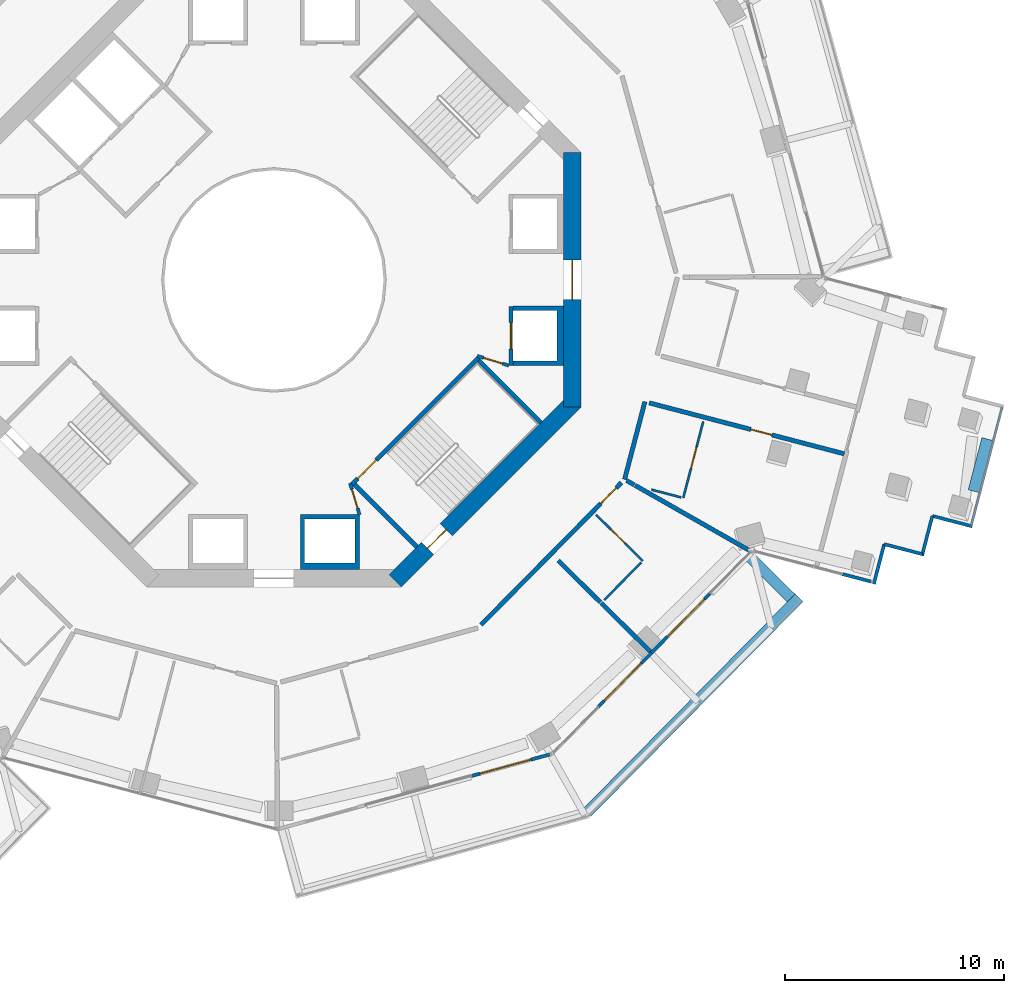
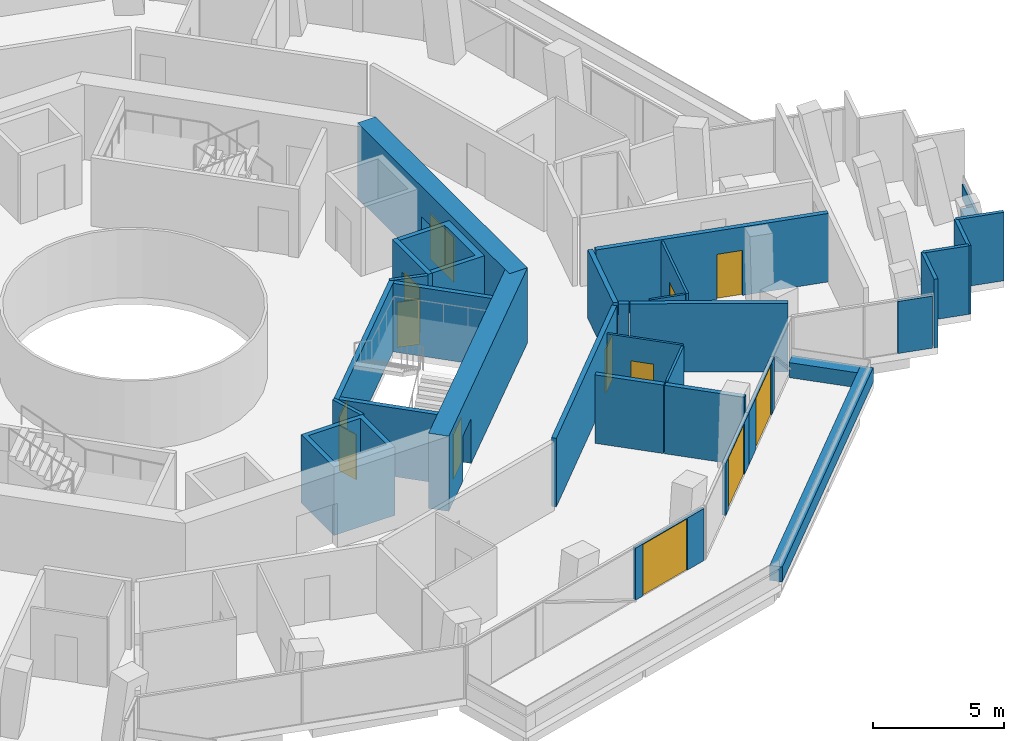
# One storey, part 19 of 26: 33 walls, 13 doors, 13 openings.
"""IFC4 building model written with IfcOpenShell, lengths in metres."""

from ifc_helpers import new_model, si_unit, direction, frame, frame_2d, origin, place, context, subcontext, project, spatial, polyline, rectangle, outline, extrude, material, layer, layer_set, type_object, element, fill, save


model = new_model("IFC4")

# Units and contexts
model_context = context("Model", 3, precision=1e-05, world=origin(), true_north=direction((0.0, 1.0)))
body_context = subcontext(model_context, "Body", "Model", "MODEL_VIEW")
ifc_project = project(units=[si_unit("LENGTHUNIT", "METRE"), si_unit("AREAUNIT", "SQUARE_METRE"), si_unit("VOLUMEUNIT", "CUBIC_METRE"), si_unit("PLANEANGLEUNIT", "RADIAN"), si_unit("MASSUNIT", "GRAM", prefix="KILO")], contexts=[model_context])

# Site, building, storey
site_placement = place(None, origin())
site = spatial("IfcSite", under=ifc_project, at=site_placement, CompositionType="ELEMENT")
building_placement = place(site_placement, origin())
building = spatial("IfcBuilding", under=site, at=building_placement, Name="Verdalira Terraces Hotel", CompositionType="ELEMENT")
storey_placement = place(building_placement, frame((0.0, 0.0, 96.5)))
storey = spatial("IfcBuildingStorey", under=building, at=storey_placement, Name="L22", CompositionType="ELEMENT", Elevation=96.5)

# Walls
ifc_material_1 = material(Name="Concrete C40", Category="concrete")
ifc_layer_1 = layer(ifc_material_1, 0.5)
ifc_layer_set_1 = layer_set([ifc_layer_1], Name="Balcony planter trough with tree")
wall_type_1 = type_object("IfcWallType", Name="Balcony planter trough with tree", PredefinedType="SOLIDWALL", material=ifc_layer_set_1)
wall_1_placement = place(storey_placement, frame((14.28418, -24.257568, 0.0), z_axis=(0.0, 0.0, 1.0), x_axis=(0.702654229, 0.711531471, 0.0)))
element("IfcWall", 1, at=wall_1_placement, inside=storey, type_object=wall_type_1, Name="Balcony planter", PredefinedType="SOLIDWALL", context=body_context, shape_type="SweptSolid", body=[
    extrude(rectangle(XDim=13.723389, YDim=0.5, at=frame_2d((6.861816, 0.0))), origin(), (0.0, 0.0, 1.0), 0.699951),
])
wall_2_placement = place(storey_placement, frame((23.573486, -14.495117, 0.0), z_axis=(0.0, 0.0, 1.0), x_axis=(-0.71156988, 0.702615333, 0.0)))
element("IfcWall", 2, at=wall_2_placement, inside=storey, type_object=wall_type_1, Name="Balcony planter", PredefinedType="SOLIDWALL", context=body_context, shape_type="SweptSolid", body=[
    extrude(rectangle(XDim=2.699219, YDim=0.5, at=frame_2d((1.349609, 0.0))), origin(), (0.0, 0.0, 1.0), 0.699951),
])

# Wall, opening, door
ifc_material_2 = material(Name="Moisture-resistant gypsum board partition")
ifc_layer_2 = layer(ifc_material_2, 0.10009765625)
ifc_layer_set_2 = layer_set([ifc_layer_2], Name="Bathroom partition 100 mm")
wall_type_2 = type_object("IfcWallType", Name="Bathroom partition 100 mm", PredefinedType="PARTITIONING", material=ifc_layer_set_2)
wall_3_placement = place(storey_placement, frame((16.809814, -12.805176, 0.0), z_axis=(0.0, 0.0, 1.0), x_axis=(-0.711568401, 0.702616831, 0.0)))
wall_3 = element("IfcWall", 3, at=wall_3_placement, inside=storey, type_object=wall_type_2, Name="Bathroom partition", PredefinedType="PARTITIONING", context=body_context, shape_type="SweptSolid", body=[
    extrude(rectangle(XDim=3.0, YDim=0.100098, at=frame_2d((1.5, 0.0))), origin(), (0.0, 0.0, 1.0), 3.189941),
])
opening_1_placement = place(wall_3_placement, frame((1.149902, 0.0, 0.0)))
opening_1 = element("IfcOpeningElement", 4, at=opening_1_placement, cuts=wall_3, Name="Opening L22-127", PredefinedType="OPENING", context=body_context, shape_type="SweptSolid", body=[
    extrude(rectangle(XDim=0.899902, YDim=2.100098, at=frame_2d((0.449951, 1.050049))), frame((0.0, 0.060059, 0.0), z_axis=(0.0, -1.0, 0.0), x_axis=(1.0, 0.0, 0.0)), (0.0, 0.0, 1.0), 0.120117),
])
ifc_material_3 = material(Name="Timber door", Category="wood")
door_type_1 = type_object("IfcDoorType", Name="Bathroom door 900 x 2100", OperationType="NOTDEFINED", PredefinedType="DOOR", material=ifc_material_3)
door_1_placement = place(opening_1_placement, origin())
door_1 = element("IfcDoor", 5, at=door_1_placement, inside=storey, type_object=door_type_1, Name="Bathroom door 2210", OperationType="SINGLE_SWING_LEFT", OverallHeight=2.10009765625, OverallWidth=0.89990234375, PredefinedType="DOOR", context=body_context, shape_type="SweptSolid", body=[
    extrude(rectangle(XDim=0.899902, YDim=2.100098, at=frame_2d((0.449951, 1.050049))), frame((0.0, 0.024902, 0.0), z_axis=(0.0, -1.0, 0.0), x_axis=(1.0, 0.0, 0.0)), (0.0, 0.0, 1.0), 0.050049),
])
fill(opening_1, door_1)

# Walls
wall_4_placement = place(storey_placement, frame((16.739502, -12.876465, 0.0), z_axis=(0.0, 0.0, 1.0), x_axis=(-0.702719059, -0.711467444, 0.0)))
element("IfcWall", 6, at=wall_4_placement, inside=storey, type_object=wall_type_2, Name="Bathroom partition", PredefinedType="PARTITIONING", context=body_context, shape_type="SweptSolid", body=[
    extrude(rectangle(XDim=2.399902, YDim=0.100098, at=frame_2d((1.199951, 0.0))), origin(), (0.0, 0.0, 1.0), 3.189941),
])
wall_5_placement = place(storey_placement, frame((18.555664, -9.911621, 0.0), z_axis=(0.0, 0.0, 1.0), x_axis=(-0.96753195, 0.25274874, 0.0)))
element("IfcWall", 7, at=wall_5_placement, inside=storey, type_object=wall_type_2, Name="Bathroom partition", PredefinedType="PARTITIONING", context=body_context, shape_type="SweptSolid", body=[
    extrude(rectangle(XDim=1.398682, YDim=0.100098, at=frame_2d((0.699219, 0.0))), origin(), (0.0, 0.0, 1.0), 3.189941),
])

# Wall, opening, door
wall_6_placement = place(storey_placement, frame((18.652344, -9.937012, 0.0), z_axis=(0.0, 0.0, 1.0), x_axis=(0.2527504, 0.967531516, 0.0)))
wall_6 = element("IfcWall", 8, at=wall_6_placement, inside=storey, type_object=wall_type_2, Name="Bathroom partition", PredefinedType="PARTITIONING", context=body_context, shape_type="SweptSolid", body=[
    extrude(rectangle(XDim=3.600098, YDim=0.100098, at=frame_2d((1.800049, 0.0))), origin(), (0.0, 0.0, 1.0), 3.189941),
])
opening_2_placement = place(wall_6_placement, frame((1.399902, 0.0, 0.0)))
opening_2 = element("IfcOpeningElement", 9, at=opening_2_placement, cuts=wall_6, Name="Opening L22-129", PredefinedType="OPENING", context=body_context, shape_type="SweptSolid", body=[
    extrude(rectangle(XDim=1.0, YDim=2.100098, at=frame_2d((0.5, 1.050049))), frame((0.0, 0.060059, 0.0), z_axis=(0.0, -1.0, 0.0), x_axis=(1.0, 0.0, 0.0)), (0.0, 0.0, 1.0), 0.120117),
])
ifc_material_4 = material(Name="Timber door", Category="wood")
door_type_2 = type_object("IfcDoorType", Name="Bathroom door 1000 x 2100", OperationType="NOTDEFINED", PredefinedType="DOOR", material=ifc_material_4)
door_2_placement = place(opening_2_placement, origin())
door_2 = element("IfcDoor", 10, at=door_2_placement, inside=storey, type_object=door_type_2, Name="Bathroom door 2211", OperationType="SINGLE_SWING_LEFT", OverallHeight=2.10009765625, OverallWidth=1.0, PredefinedType="DOOR", context=body_context, shape_type="SweptSolid", body=[
    extrude(rectangle(XDim=1.0, YDim=2.100098, at=frame_2d((0.5, 1.050049))), frame((0.0, 0.024902, 0.0), z_axis=(0.0, -1.0, 0.0), x_axis=(1.0, 0.0, 0.0)), (0.0, 0.0, 1.0), 0.050049),
])
fill(opening_2, door_2)

# Wall
ifc_material_5 = material(Name="Concrete C50", Category="concrete")
ifc_layer_3 = layer(ifc_material_5, 0.199951171875)
ifc_layer_set_3 = layer_set([ifc_layer_3], Name="Core RC wall 200 C50")
wall_type_3 = type_object("IfcWallType", Name="Core RC wall 200 C50", PredefinedType="SOLIDWALL", material=ifc_layer_set_3)
wall_7_placement = place(storey_placement, origin())
element("IfcWall", 11, at=wall_7_placement, inside=storey, type_object=wall_type_3, Name="L22 shaft wall E1", PredefinedType="SOLIDWALL", context=body_context, shape_type="SweptSolid", body=[
    extrude(outline(polyline([(13.199951, -3.899902), (10.899902, -3.899902), (10.899902, -3.699951), (12.899902, -3.699951), (12.899902, -1.399902), (10.899902, -1.399902), (10.899902, -1.199951), (13.199951, -1.199951), (13.199951, -3.899902)])), origin(), (0.0, 0.0, 1.0), 3.189941),
])

# Wall, opening, door
wall_8_placement = place(storey_placement, frame((10.800049, -1.199951, 0.0), z_axis=(0.0, 0.0, 1.0), x_axis=(0.0, -1.0, 0.0)))
wall_8 = element("IfcWall", 12, at=wall_8_placement, inside=storey, type_object=wall_type_3, Name="L22 shaft front wall E1", PredefinedType="SOLIDWALL", context=body_context, shape_type="SweptSolid", body=[
    extrude(rectangle(XDim=2.699951, YDim=0.199951, at=frame_2d((1.350098, 0.0))), origin(), (0.0, 0.0, 1.0), 3.189941),
])
opening_3_placement = place(wall_8_placement, frame((0.75, 0.0, 0.0)))
opening_3 = element("IfcOpeningElement", 13, at=opening_3_placement, cuts=wall_8, Name="Opening LD-L22-801", PredefinedType="OPENING", context=body_context, shape_type="SweptSolid", body=[
    extrude(rectangle(XDim=1.199951, YDim=2.100098, at=frame_2d((0.600098, 1.050049))), frame((0.0, 0.109863, 0.0), z_axis=(0.0, -1.0, 0.0), x_axis=(1.0, 0.0, 0.0)), (0.0, 0.0, 1.0), 0.219971),
])
ifc_material_6 = material(Name="Stainless steel", Category="steel")
door_type_3 = type_object("IfcDoorType", Name="Landing door 1200 x 2100", OperationType="NOTDEFINED", PredefinedType="DOOR", material=ifc_material_6)
door_3_placement = place(opening_3_placement, origin())
door_3 = element("IfcDoor", 14, at=door_3_placement, inside=storey, type_object=door_type_3, Name="Lift landing door LR1 L22", OperationType="DOUBLE_DOOR_SLIDING", OverallHeight=2.10009765625, OverallWidth=1.199951171875, PredefinedType="DOOR", context=body_context, shape_type="SweptSolid", body=[
    extrude(rectangle(XDim=1.199951, YDim=2.100098, at=frame_2d((0.600098, 1.050049))), frame((0.0, 0.024902, 0.0), z_axis=(0.0, -1.0, 0.0), x_axis=(1.0, 0.0, 0.0)), (0.0, 0.0, 1.0), 0.050049),
])
fill(opening_3, door_3)

# Wall
wall_9_placement = place(storey_placement, origin())
element("IfcWall", 15, at=wall_9_placement, inside=storey, type_object=wall_type_3, Name="L22 shaft wall S2", PredefinedType="SOLIDWALL", context=body_context, shape_type="SweptSolid", body=[
    extrude(outline(polyline([(3.899902, -10.699951), (3.899902, -13.199951), (1.199951, -13.199951), (1.199951, -10.699951), (3.899902, -10.699951)]), holes=[polyline([(1.399902, -12.899902), (3.699951, -12.899902), (3.699951, -10.899902), (1.399902, -10.899902), (1.399902, -12.899902)])]), origin(), (0.0, 0.0, 1.0), 3.189941),
])

# Wall, opening, door
wall_10_placement = place(storey_placement, frame((9.33374, -3.5354, 0.0), z_axis=(0.0, 0.0, 1.0), x_axis=(-0.707106781, -0.707106781, 0.0)))
wall_10 = element("IfcWall", 16, at=wall_10_placement, inside=storey, type_object=wall_type_3, Name="L22 stair ST3 front wall", PredefinedType="SOLIDWALL", context=body_context, shape_type="SweptSolid", body=[
    extrude(rectangle(XDim=8.200195, YDim=0.199951, at=frame_2d((4.100098, 0.0))), origin(), (0.0, 0.0, 1.0), 3.189941),
])
opening_4_placement = place(wall_10_placement, frame((6.600098, 0.0, 0.0)))
opening_4 = element("IfcOpeningElement", 17, at=opening_4_placement, cuts=wall_10, Name="Opening L22-811", PredefinedType="OPENING", context=body_context, shape_type="SweptSolid", body=[
    extrude(rectangle(XDim=1.199951, YDim=2.100098, at=frame_2d((0.600098, 1.050049))), frame((0.0, 0.109863, 0.0), z_axis=(0.0, -1.0, 0.0), x_axis=(1.0, 0.0, 0.0)), (0.0, 0.0, 1.0), 0.219971),
])
ifc_material_7 = material(Name="Steel fire door", Category="steel")
door_type_4 = type_object("IfcDoorType", Name="Stair door 1200 x 2100", OperationType="NOTDEFINED", PredefinedType="DOOR", material=ifc_material_7)
door_4_placement = place(opening_4_placement, origin())
door_4 = element("IfcDoor", 18, at=door_4_placement, inside=storey, type_object=door_type_4, Name="Stair door ST3 L22", OperationType="SINGLE_SWING_RIGHT", OverallHeight=2.10009765625, OverallWidth=1.199951171875, PredefinedType="DOOR", context=body_context, shape_type="SweptSolid", body=[
    extrude(rectangle(XDim=1.199951, YDim=2.100098, at=frame_2d((0.600098, 1.050049))), frame((0.0, 0.024902, 0.0), z_axis=(0.0, -1.0, 0.0), x_axis=(1.0, 0.0, 0.0)), (0.0, 0.0, 1.0), 0.050049),
])
fill(opening_4, door_4)

# Walls
for number, where, z_axis, x_axis, name in (
    (19, (3.677002, -9.33374, 0.0), (0.0, 0.0, 1.0), (0.707106781, -0.707106781, 0.0), "L22 stair ST3 end wall 1"),
    (20, (9.33374, -3.677002, 0.0), (0.0, 0.0, 1.0), (0.707106781, -0.707106781, 0.0), "L22 stair ST3 end wall 2"),
):
    element("IfcWall", number, at=place(storey_placement, frame(where, z_axis=z_axis, x_axis=x_axis)), inside=storey, type_object=wall_type_3, Name=name, PredefinedType="SOLIDWALL", context=body_context, shape_type="SweptSolid", body=[
        extrude(rectangle(XDim=4.0, YDim=0.199951, at=frame_2d((2.0, 0.0))), origin(), (0.0, 0.0, 1.0), 3.189941),
    ])

# Wall, opening, door
ifc_material_8 = material(Name="Gypsum board partition")
ifc_layer_4 = layer(ifc_material_8, 0.14990234375)
ifc_layer_set_4 = layer_set([ifc_layer_4], Name="Core partition 150 mm")
wall_type_4 = type_object("IfcWallType", Name="Core partition 150 mm", PredefinedType="PARTITIONING", material=ifc_layer_set_4)
wall_11_placement = place(storey_placement, frame((3.899902, -10.699951, 0.0), z_axis=(0.0, 0.0, 1.0), x_axis=(-0.289808785, 0.957084567, 0.0)))
wall_11 = element("IfcWall", 21, at=wall_11_placement, inside=storey, type_object=wall_type_4, Name="Room partition L22", PredefinedType="PARTITIONING", context=body_context, shape_type="SweptSolid", body=[
    extrude(rectangle(XDim=1.501221, YDim=0.149902, at=frame_2d((0.750488, 0.0))), origin(), (0.0, 0.0, 1.0), 3.189941),
])
opening_5_placement = place(wall_11_placement, frame((0.300781, 0.0, 0.0)))
opening_5 = element("IfcOpeningElement", 22, at=opening_5_placement, cuts=wall_11, Name="Opening L22-822", PredefinedType="OPENING", context=body_context, shape_type="SweptSolid", body=[
    extrude(rectangle(XDim=0.899902, YDim=2.100098, at=frame_2d((0.449951, 1.050049))), frame((0.0, 0.084961, 0.0), z_axis=(0.0, -1.0, 0.0), x_axis=(1.0, 0.0, 0.0)), (0.0, 0.0, 1.0), 0.169922),
])
ifc_material_9 = material(Name="Steel fire door", Category="steel")
door_type_5 = type_object("IfcDoorType", Name="Core room door 900 x 2100", OperationType="NOTDEFINED", PredefinedType="DOOR", material=ifc_material_9)
door_5_placement = place(opening_5_placement, origin())
door_5 = element("IfcDoor", 23, at=door_5_placement, inside=storey, type_object=door_type_5, Name="Door L22 room6", OperationType="SINGLE_SWING_LEFT", OverallHeight=2.10009765625, OverallWidth=0.89990234375, PredefinedType="DOOR", context=body_context, shape_type="SweptSolid", body=[
    extrude(rectangle(XDim=0.899902, YDim=2.100098, at=frame_2d((0.449951, 1.050049))), frame((0.0, 0.024902, 0.0), z_axis=(0.0, -1.0, 0.0), x_axis=(1.0, 0.0, 0.0)), (0.0, 0.0, 1.0), 0.050049),
])
fill(opening_5, door_5)

wall_12_placement = place(storey_placement, frame((9.263184, -3.464844, 0.0), z_axis=(0.0, 0.0, 1.0), x_axis=(0.957084567, -0.289808785, 0.0)))
wall_12 = element("IfcWall", 24, at=wall_12_placement, inside=storey, type_object=wall_type_4, Name="Room partition L22", PredefinedType="PARTITIONING", context=body_context, shape_type="SweptSolid", body=[
    extrude(rectangle(XDim=1.501221, YDim=0.149902, at=frame_2d((0.750488, 0.0))), origin(), (0.0, 0.0, 1.0), 3.189941),
])
opening_6_placement = place(wall_12_placement, frame((0.300781, 0.0, 0.0)))
opening_6 = element("IfcOpeningElement", 25, at=opening_6_placement, cuts=wall_12, Name="Opening L22-823", PredefinedType="OPENING", context=body_context, shape_type="SweptSolid", body=[
    extrude(rectangle(XDim=0.899902, YDim=2.100098, at=frame_2d((0.449951, 1.050049))), frame((0.0, 0.084961, 0.0), z_axis=(0.0, -1.0, 0.0), x_axis=(1.0, 0.0, 0.0)), (0.0, 0.0, 1.0), 0.169922),
])
door_6_placement = place(opening_6_placement, origin())
door_6 = element("IfcDoor", 26, at=door_6_placement, inside=storey, type_object=door_type_5, Name="Door L22 room7", OperationType="SINGLE_SWING_LEFT", OverallHeight=2.10009765625, OverallWidth=0.89990234375, PredefinedType="DOOR", context=body_context, shape_type="SweptSolid", body=[
    extrude(rectangle(XDim=0.899902, YDim=2.100098, at=frame_2d((0.449951, 1.050049))), frame((0.0, 0.024902, 0.0), z_axis=(0.0, -1.0, 0.0), x_axis=(1.0, 0.0, 0.0)), (0.0, 0.0, 1.0), 0.050049),
])
fill(opening_6, door_6)

ifc_material_10 = material(Name="Concrete C70", Category="concrete")
ifc_layer_5 = layer(ifc_material_10, 0.800048828125)
ifc_layer_set_5 = layer_set([ifc_layer_5], Name="Core wall 800 C70")
wall_type_5 = type_object("IfcWallType", Name="Core wall 800 C70", PredefinedType="SHEAR", material=ifc_layer_set_5)
wall_13_placement = place(storey_placement, frame((13.600098, -5.799072, 0.0), z_axis=(0.0, 0.0, 1.0), x_axis=(0.0, 1.0, 0.0)))
wall_13 = element("IfcWall", 27, at=wall_13_placement, inside=storey, type_object=wall_type_5, Name="Core wall CW-L22-1", PredefinedType="SHEAR", context=body_context, shape_type="SweptSolid", body=[
    extrude(rectangle(XDim=11.598145, YDim=0.800049, at=frame_2d((5.799072, 0.0))), origin(), (0.0, 0.0, 1.0), 3.5),
])
opening_7_placement = place(wall_13_placement, frame((4.898926, 0.0, 0.0)))
opening_7 = element("IfcOpeningElement", 28, at=opening_7_placement, cuts=wall_13, Name="Opening L22-812", PredefinedType="OPENING", context=body_context, shape_type="SweptSolid", body=[
    extrude(rectangle(XDim=1.800049, YDim=2.100098, at=frame_2d((0.899902, 1.050049))), frame((0.0, 0.409912, 0.0), z_axis=(0.0, -1.0, 0.0), x_axis=(1.0, 0.0, 0.0)), (0.0, 0.0, 1.0), 0.820068),
])
ifc_material_11 = material(Name="Steel fire door", Category="steel")
door_type_6 = type_object("IfcDoorType", Name="Core entry door pair 1800 x 2100", OperationType="NOTDEFINED", PredefinedType="DOOR", material=ifc_material_11)
door_7_placement = place(opening_7_placement, origin())
door_7 = element("IfcDoor", 29, at=door_7_placement, inside=storey, type_object=door_type_6, Name="Core entry door L22 0", OperationType="DOUBLE_DOOR_SINGLE_SWING", OverallHeight=2.10009765625, OverallWidth=1.800048828125, PredefinedType="DOOR", context=body_context, shape_type="SweptSolid", body=[
    extrude(rectangle(XDim=1.800049, YDim=2.100098, at=frame_2d((0.899902, 1.050049))), frame((0.0, 0.024902, 0.0), z_axis=(0.0, -1.0, 0.0), x_axis=(1.0, 0.0, 0.0)), (0.0, 0.0, 1.0), 0.050049),
])
fill(opening_7, door_7)

wall_14_placement = place(storey_placement, frame((5.516113, -13.717285, 0.0), z_axis=(0.0, 0.0, 1.0), x_axis=(0.707106781, 0.707106781, 0.0)))
wall_14 = element("IfcWall", 30, at=wall_14_placement, inside=storey, type_object=wall_type_5, Name="Core wall CW-L22-8", PredefinedType="SHEAR", context=body_context, shape_type="SweptSolid", body=[
    extrude(rectangle(XDim=11.598145, YDim=0.800049, at=frame_2d((5.799072, 0.0))), origin(), (0.0, 0.0, 1.0), 3.5),
])
opening_8_placement = place(wall_14_placement, frame((2.099121, 0.0, 0.0)))
opening_8 = element("IfcOpeningElement", 31, at=opening_8_placement, cuts=wall_14, Name="Opening L22-818", PredefinedType="OPENING", context=body_context, shape_type="SweptSolid", body=[
    extrude(rectangle(XDim=1.199951, YDim=2.100098, at=frame_2d((0.600098, 1.050049))), frame((0.0, 0.409912, 0.0), z_axis=(0.0, -1.0, 0.0), x_axis=(1.0, 0.0, 0.0)), (0.0, 0.0, 1.0), 0.820068),
])
door_8_placement = place(opening_8_placement, origin())
door_8 = element("IfcDoor", 32, at=door_8_placement, inside=storey, type_object=door_type_4, Name="Stair exit door ST3 L22", OperationType="SINGLE_SWING_LEFT", OverallHeight=2.10009765625, OverallWidth=1.199951171875, PredefinedType="DOOR", context=body_context, shape_type="SweptSolid", body=[
    extrude(rectangle(XDim=1.199951, YDim=2.100098, at=frame_2d((0.600098, 1.050049))), frame((0.0, 0.024902, 0.0), z_axis=(0.0, -1.0, 0.0), x_axis=(1.0, 0.0, 0.0)), (0.0, 0.0, 1.0), 0.050049),
])
fill(opening_8, door_8)

# Walls
ifc_material_12 = material(Name="Fire-rated gypsum board wall")
ifc_layer_6 = layer(ifc_material_12, 0.199951171875)
ifc_layer_set_6 = layer_set([ifc_layer_6], Name="Demising wall 200 mm")
wall_type_6 = type_object("IfcWallType", Name="Demising wall 200 mm", PredefinedType="SOLIDWALL", material=ifc_layer_set_6)
wall_15_placement = place(storey_placement, frame((12.953857, -12.792236, 0.0), z_axis=(0.0, 0.0, 1.0), x_axis=(0.711560793, -0.702624535, 0.0)))
element("IfcWall", 33, at=wall_15_placement, inside=storey, type_object=wall_type_6, Name="Demising wall", PredefinedType="SOLIDWALL", context=body_context, shape_type="SweptSolid", body=[
    extrude(rectangle(XDim=2.70459, YDim=0.199951, at=frame_2d((1.352295, 0.0))), origin(), (0.0, 0.0, 1.0), 3.189941),
])
wall_16_placement = place(storey_placement, frame((14.911133, -14.725098, 0.0), z_axis=(0.0, 0.0, 1.0), x_axis=(0.711546698, -0.702638809, 0.0)))
element("IfcWall", 34, at=wall_16_placement, inside=storey, type_object=wall_type_6, Name="Demising wall", PredefinedType="SOLIDWALL", context=body_context, shape_type="SweptSolid", body=[
    extrude(rectangle(XDim=3.151855, YDim=0.199951, at=frame_2d((1.575928, 0.0))), origin(), (0.0, 0.0, 1.0), 3.189941),
])
wall_17_placement = place(storey_placement, frame((16.069092, -9.143311, 0.0), z_axis=(0.0, 0.0, 1.0), x_axis=(0.869064731, -0.494698386, 0.0)))
element("IfcWall", 35, at=wall_17_placement, inside=storey, type_object=wall_type_6, Name="Demising wall", PredefinedType="SOLIDWALL", context=body_context, shape_type="SweptSolid", body=[
    extrude(rectangle(XDim=0.401611, YDim=0.199951, at=frame_2d((0.200684, 0.0))), origin(), (0.0, 0.0, 1.0), 3.189941),
])
wall_18_placement = place(storey_placement, frame((16.453125, -9.361816, 0.0), z_axis=(0.0, 0.0, 1.0), x_axis=(0.869145541, -0.494556396, 0.0)))
element("IfcWall", 36, at=wall_18_placement, inside=storey, type_object=wall_type_6, Name="Demising wall", PredefinedType="SOLIDWALL", context=body_context, shape_type="SweptSolid", body=[
    extrude(rectangle(XDim=6.033936, YDim=0.199951, at=frame_2d((3.01709, 0.0))), origin(), (0.0, 0.0, 1.0), 3.189941),
])

# Wall, opening, door
ifc_material_13 = material(Name="Fire-rated gypsum board wall")
ifc_layer_7 = layer(ifc_material_13, 0.199951171875)
ifc_layer_set_7 = layer_set([ifc_layer_7], Name="Guest corridor wall 200 mm")
wall_type_7 = type_object("IfcWallType", Name="Guest corridor wall 200 mm", PredefinedType="SOLIDWALL", material=ifc_layer_set_7)
wall_19_placement = place(storey_placement, frame((15.838623, -9.234619, 0.0), z_axis=(0.0, 0.0, 1.0), x_axis=(-0.702660587, -0.711525192, 0.0)))
wall_19 = element("IfcWall", 37, at=wall_19_placement, inside=storey, type_object=wall_type_7, Name="Guest corridor wall", PredefinedType="SOLIDWALL", context=body_context, shape_type="SweptSolid", body=[
    extrude(rectangle(XDim=9.116211, YDim=0.199951, at=frame_2d((4.558105, 0.0))), origin(), (0.0, 0.0, 1.0), 3.189941),
])
opening_9_placement = place(wall_19_placement, frame((0.350098, 0.0, 0.0)))
opening_9 = element("IfcOpeningElement", 38, at=opening_9_placement, cuts=wall_19, Name="Opening L22-126", PredefinedType="OPENING", context=body_context, shape_type="SweptSolid", body=[
    extrude(rectangle(XDim=1.0, YDim=2.100098, at=frame_2d((0.5, 1.050049))), frame((0.0, 0.109863, 0.0), z_axis=(0.0, -1.0, 0.0), x_axis=(1.0, 0.0, 0.0)), (0.0, 0.0, 1.0), 0.219971),
])
ifc_material_14 = material(Name="Timber fire door", Category="wood")
door_type_7 = type_object("IfcDoorType", Name="Guest entry door 1000 x 2100", OperationType="NOTDEFINED", PredefinedType="DOOR", material=ifc_material_14)
door_9_placement = place(opening_9_placement, origin())
door_9 = element("IfcDoor", 39, at=door_9_placement, inside=storey, type_object=door_type_7, Name="Guest entry door 2210", OperationType="SINGLE_SWING_LEFT", OverallHeight=2.10009765625, OverallWidth=1.0, PredefinedType="DOOR", context=body_context, shape_type="SweptSolid", body=[
    extrude(rectangle(XDim=1.0, YDim=2.100098, at=frame_2d((0.5, 1.050049))), frame((0.0, 0.024902, 0.0), z_axis=(0.0, -1.0, 0.0), x_axis=(1.0, 0.0, 0.0)), (0.0, 0.0, 1.0), 0.050049),
])
fill(opening_9, door_9)

# Wall
wall_20_placement = place(storey_placement, frame((15.979004, -9.092285, 0.0), z_axis=(0.0, 0.0, 1.0), x_axis=(0.25277502, 0.967525084, 0.0)))
element("IfcWall", 40, at=wall_20_placement, inside=storey, type_object=wall_type_7, Name="Guest corridor wall", PredefinedType="SOLIDWALL", context=body_context, shape_type="SweptSolid", body=[
    extrude(rectangle(XDim=3.658691, YDim=0.199951, at=frame_2d((1.829346, 0.0))), origin(), (0.0, 0.0, 1.0), 3.189941),
])

# Wall, opening, door
wall_21_placement = place(storey_placement, frame((25.989258, -7.926025, 0.0), z_axis=(0.0, 0.0, 1.0), x_axis=(-0.967533715, 0.252741983, 0.0)))
wall_21 = element("IfcWall", 41, at=wall_21_placement, inside=storey, type_object=wall_type_7, Name="Guest corridor wall", PredefinedType="SOLIDWALL", context=body_context, shape_type="SweptSolid", body=[
    extrude(rectangle(XDim=9.190186, YDim=0.199951, at=frame_2d((4.595215, 0.0))), origin(), (0.0, 0.0, 1.0), 3.189941),
])
opening_10_placement = place(wall_21_placement, frame((3.399902, 0.0, 0.0)))
opening_10 = element("IfcOpeningElement", 42, at=opening_10_placement, cuts=wall_21, Name="Opening L22-128", PredefinedType="OPENING", context=body_context, shape_type="SweptSolid", body=[
    extrude(rectangle(XDim=1.0, YDim=2.100098, at=frame_2d((0.5, 1.050049))), frame((0.0, 0.109863, 0.0), z_axis=(0.0, -1.0, 0.0), x_axis=(1.0, 0.0, 0.0)), (0.0, 0.0, 1.0), 0.219971),
])
door_10_placement = place(opening_10_placement, origin())
door_10 = element("IfcDoor", 43, at=door_10_placement, inside=storey, type_object=door_type_7, Name="Guest entry door 2211", OperationType="SINGLE_SWING_LEFT", OverallHeight=2.10009765625, OverallWidth=1.0, PredefinedType="DOOR", context=body_context, shape_type="SweptSolid", body=[
    extrude(rectangle(XDim=1.0, YDim=2.100098, at=frame_2d((0.5, 1.050049))), frame((0.0, 0.024902, 0.0), z_axis=(0.0, -1.0, 0.0), x_axis=(1.0, 0.0, 0.0)), (0.0, 0.0, 1.0), 0.050049),
])
fill(opening_10, door_10)

# Walls
ifc_material_15 = material(Name="Concrete C40", Category="concrete")
ifc_layer_8 = layer(ifc_material_15, 0.5)
ifc_layer_set_8 = layer_set([ifc_layer_8], Name="Loggia planter trough with tree")
wall_type_8 = type_object("IfcWallType", Name="Loggia planter trough with tree", PredefinedType="SOLIDWALL", material=ifc_layer_set_8)
wall_22_placement = place(storey_placement, frame((31.881104, -9.625, 0.0), z_axis=(0.0, 0.0, 1.0), x_axis=(0.252725543, 0.96753801, 0.0)))
element("IfcWall", 44, at=wall_22_placement, inside=storey, type_object=wall_type_8, Name="Loggia planter", PredefinedType="SOLIDWALL", context=body_context, shape_type="SweptSolid", body=[
    extrude(rectangle(XDim=2.45459, YDim=0.5, at=frame_2d((1.227295, 0.0))), origin(), (0.0, 0.0, 1.0), 0.699951),
])
ifc_material_16 = material(Name="Concrete C40", Category="concrete")
ifc_layer_9 = layer(ifc_material_16, 0.10009765625)
ifc_layer_set_9 = layer_set([ifc_layer_9], Name="Loggia upstand 100")
wall_type_9 = type_object("IfcWallType", Name="Loggia upstand 100", PredefinedType="SOLIDWALL", material=ifc_layer_set_9)
wall_23_placement = place(storey_placement, frame((31.793457, -11.147461, 0.0), z_axis=(0.0, 0.0, 1.0), x_axis=(0.252757991, 0.967529533, 0.0)))
element("IfcWall", 45, at=wall_23_placement, inside=storey, type_object=wall_type_9, Name="Loggia upstand", PredefinedType="SOLIDWALL", context=body_context, shape_type="SweptSolid", body=[
    extrude(rectangle(XDim=5.499756, YDim=0.100098, at=frame_2d((2.75, 0.0))), origin(), (0.0, 0.0, 1.0), 0.699951),
])
ifc_material_17 = material(Name="Terracotta cladding", Category="masonry")
ifc_layer_10 = layer(ifc_material_17, 0.14990234375)
ifc_layer_set_10 = layer_set([ifc_layer_10], Name="Terracotta clad wall 150")
wall_type_10 = type_object("IfcWallType", Name="Terracotta clad wall 150", PredefinedType="SOLIDWALL", material=ifc_layer_set_10)
wall_24_placement = place(storey_placement, frame((27.338379, -13.859619, 0.0), z_axis=(0.0, 0.0, 1.0), x_axis=(0.252724002, 0.967538412, 0.0)))
element("IfcWall", 46, at=wall_24_placement, inside=storey, type_object=wall_type_10, Name="Terracotta cladding wall", PredefinedType="SOLIDWALL", context=body_context, shape_type="SweptSolid", body=[
    extrude(rectangle(XDim=1.875, YDim=0.149902, at=frame_2d((0.9375, 0.0))), origin(), (0.0, 0.0, 1.0), 3.189941),
])
wall_25_placement = place(storey_placement, frame((27.812256, -12.04541, 0.0), z_axis=(0.0, 0.0, 1.0), x_axis=(0.967510596, -0.252830471, 0.0)))
element("IfcWall", 47, at=wall_25_placement, inside=storey, type_object=wall_type_10, Name="Terracotta cladding wall", PredefinedType="SOLIDWALL", context=body_context, shape_type="SweptSolid", body=[
    extrude(rectangle(XDim=1.800049, YDim=0.149902, at=frame_2d((0.899902, 0.0))), origin(), (0.0, 0.0, 1.0), 3.189941),
])
for number, where, z_axis, x_axis, name in (
    (48, (29.534912, -12.572998, 0.0), (0.0, 0.0, 1.0), (0.252724002, 0.967538412, 0.0), "Terracotta cladding wall"),
    (49, (30.008789, -10.758789, 0.0), (0.0, 0.0, 1.0), (0.967538412, -0.252724002, 0.0), "Terracotta cladding wall"),
):
    element("IfcWall", number, at=place(storey_placement, frame(where, z_axis=z_axis, x_axis=x_axis)), inside=storey, type_object=wall_type_10, Name=name, PredefinedType="SOLIDWALL", context=body_context, shape_type="SweptSolid", body=[
        extrude(rectangle(XDim=1.875, YDim=0.149902, at=frame_2d((0.9375, 0.0))), origin(), (0.0, 0.0, 1.0), 3.189941),
    ])
ifc_material_18 = material(Name="Terracotta cladding", Category="masonry")
ifc_layer_11 = layer(ifc_material_18, 0.14990234375)
ifc_layer_set_11 = layer_set([ifc_layer_11], Name="Terracotta column pier 150")
wall_type_11 = type_object("IfcWallType", Name="Terracotta column pier 150", PredefinedType="SOLIDWALL", material=ifc_layer_set_11)
wall_26_placement = place(storey_placement, frame((25.893799, -13.404785, 0.0), z_axis=(0.0, 0.0, 1.0), x_axis=(0.967526217, -0.252770687, 0.0)))
element("IfcWall", 50, at=wall_26_placement, inside=storey, type_object=wall_type_11, Name="Terracotta column pier", PredefinedType="SOLIDWALL", context=body_context, shape_type="SweptSolid", body=[
    extrude(rectangle(XDim=1.367676, YDim=0.149902, at=frame_2d((0.683838, 0.0))), origin(), (0.0, 0.0, 1.0), 2.425049),
])

# Wall, opening, door
ifc_material_19 = material(Name="Terracotta cladding", Category="masonry")
ifc_layer_12 = layer(ifc_material_19, 0.14990234375)
ifc_layer_set_12 = layer_set([ifc_layer_12], Name="Terracotta door pier 150")
wall_type_12 = type_object("IfcWallType", Name="Terracotta door pier 150", PredefinedType="SOLIDWALL", material=ifc_layer_set_12)
wall_27_placement = place(storey_placement, frame((8.999268, -22.607178, 0.0), z_axis=(0.0, 0.0, 1.0), x_axis=(0.964270134, 0.264920947, 0.0)))
wall_27 = element("IfcWall", 51, at=wall_27_placement, inside=storey, type_object=wall_type_12, Name="Terracotta door pier", PredefinedType="SOLIDWALL", context=body_context, shape_type="SweptSolid", body=[
    extrude(rectangle(XDim=3.710205, YDim=0.149902, at=frame_2d((1.85498, 0.0))), origin(), (0.0, 0.0, 1.0), 2.425049),
])
opening_11_placement = place(wall_27_placement, frame((0.399902, 0.0, 0.0)))
opening_11 = element("IfcOpeningElement", 52, at=opening_11_placement, cuts=wall_27, Name="Opening L22-B14", PredefinedType="OPENING", context=body_context, shape_type="SweptSolid", body=[
    extrude(rectangle(XDim=2.399902, YDim=2.399902, at=frame_2d((1.199951, 1.199951))), frame((0.0, 0.084961, 0.0), z_axis=(0.0, -1.0, 0.0), x_axis=(1.0, 0.0, 0.0)), (0.0, 0.0, 1.0), 0.169922),
])
ifc_material_20 = material(Name="Clear glass", Category="glass")
door_type_8 = type_object("IfcDoorType", Name="Balcony sliding door 2400x2400", OperationType="NOTDEFINED", PredefinedType="DOOR", material=ifc_material_20)
door_11_placement = place(opening_11_placement, origin())
door_11 = element("IfcDoor", 53, at=door_11_placement, inside=storey, type_object=door_type_8, Name="Balcony sliding door", OperationType="SLIDING_TO_RIGHT", OverallHeight=2.39990234375, OverallWidth=2.39990234375, PredefinedType="DOOR", context=body_context, shape_type="SweptSolid", body=[
    extrude(rectangle(XDim=2.399902, YDim=2.399902, at=frame_2d((1.199951, 1.199951))), frame((0.0, 0.024902, 0.0), z_axis=(0.0, -1.0, 0.0), x_axis=(1.0, 0.0, 0.0)), (0.0, 0.0, 1.0), 0.050049),
])
fill(opening_11, door_11)

wall_28_placement = place(storey_placement, frame((14.765625, -19.465088, 0.0), z_axis=(0.0, 0.0, 1.0), x_axis=(0.702631444, 0.711553971, 0.0)))
wall_28 = element("IfcWall", 54, at=wall_28_placement, inside=storey, type_object=wall_type_12, Name="Terracotta door pier", PredefinedType="SOLIDWALL", context=body_context, shape_type="SweptSolid", body=[
    extrude(rectangle(XDim=3.475098, YDim=0.149902, at=frame_2d((1.737549, 0.0))), origin(), (0.0, 0.0, 1.0), 2.425049),
])
opening_12_placement = place(wall_28_placement, frame((0.399902, 0.0, 0.0)))
opening_12 = element("IfcOpeningElement", 55, at=opening_12_placement, cuts=wall_28, Name="Opening L22-B15", PredefinedType="OPENING", context=body_context, shape_type="SweptSolid", body=[
    extrude(rectangle(XDim=2.399902, YDim=2.399902, at=frame_2d((1.199951, 1.199951))), frame((0.0, 0.084961, 0.0), z_axis=(0.0, -1.0, 0.0), x_axis=(1.0, 0.0, 0.0)), (0.0, 0.0, 1.0), 0.169922),
])
door_12_placement = place(opening_12_placement, origin())
door_12 = element("IfcDoor", 56, at=door_12_placement, inside=storey, type_object=door_type_8, Name="Balcony sliding door", OperationType="SLIDING_TO_RIGHT", OverallHeight=2.39990234375, OverallWidth=2.39990234375, PredefinedType="DOOR", context=body_context, shape_type="SweptSolid", body=[
    extrude(rectangle(XDim=2.399902, YDim=2.399902, at=frame_2d((1.199951, 1.199951))), frame((0.0, 0.024902, 0.0), z_axis=(0.0, -1.0, 0.0), x_axis=(1.0, 0.0, 0.0)), (0.0, 0.0, 1.0), 0.050049),
])
fill(opening_12, door_12)

wall_29_placement = place(storey_placement, frame((17.207275, -16.992432, 0.0), z_axis=(0.0, 0.0, 1.0), x_axis=(0.702669036, 0.711516848, 0.0)))
wall_29 = element("IfcWall", 57, at=wall_29_placement, inside=storey, type_object=wall_type_12, Name="Terracotta door pier", PredefinedType="SOLIDWALL", context=body_context, shape_type="SweptSolid", body=[
    extrude(rectangle(XDim=3.835449, YDim=0.149902, at=frame_2d((1.917725, 0.0))), origin(), (0.0, 0.0, 1.0), 2.425049),
])
opening_13_placement = place(wall_29_placement, frame((1.0354, 0.0, 0.0)))
opening_13 = element("IfcOpeningElement", 58, at=opening_13_placement, cuts=wall_29, Name="Opening L22-B16", PredefinedType="OPENING", context=body_context, shape_type="SweptSolid", body=[
    extrude(rectangle(XDim=2.399902, YDim=2.399902, at=frame_2d((1.199951, 1.199951))), frame((0.0, 0.084961, 0.0), z_axis=(0.0, -1.0, 0.0), x_axis=(1.0, 0.0, 0.0)), (0.0, 0.0, 1.0), 0.169922),
])
door_13_placement = place(opening_13_placement, origin())
door_13 = element("IfcDoor", 59, at=door_13_placement, inside=storey, type_object=door_type_8, Name="Balcony sliding door", OperationType="SLIDING_TO_LEFT", OverallHeight=2.39990234375, OverallWidth=2.39990234375, PredefinedType="DOOR", context=body_context, shape_type="SweptSolid", body=[
    extrude(rectangle(XDim=2.399902, YDim=2.399902, at=frame_2d((1.199951, 1.199951))), frame((0.0, 0.024902, 0.0), z_axis=(0.0, -1.0, 0.0), x_axis=(1.0, 0.0, 0.0)), (0.0, 0.0, 1.0), 0.050049),
])
fill(opening_13, door_13)

save(model, "model.ifc")
